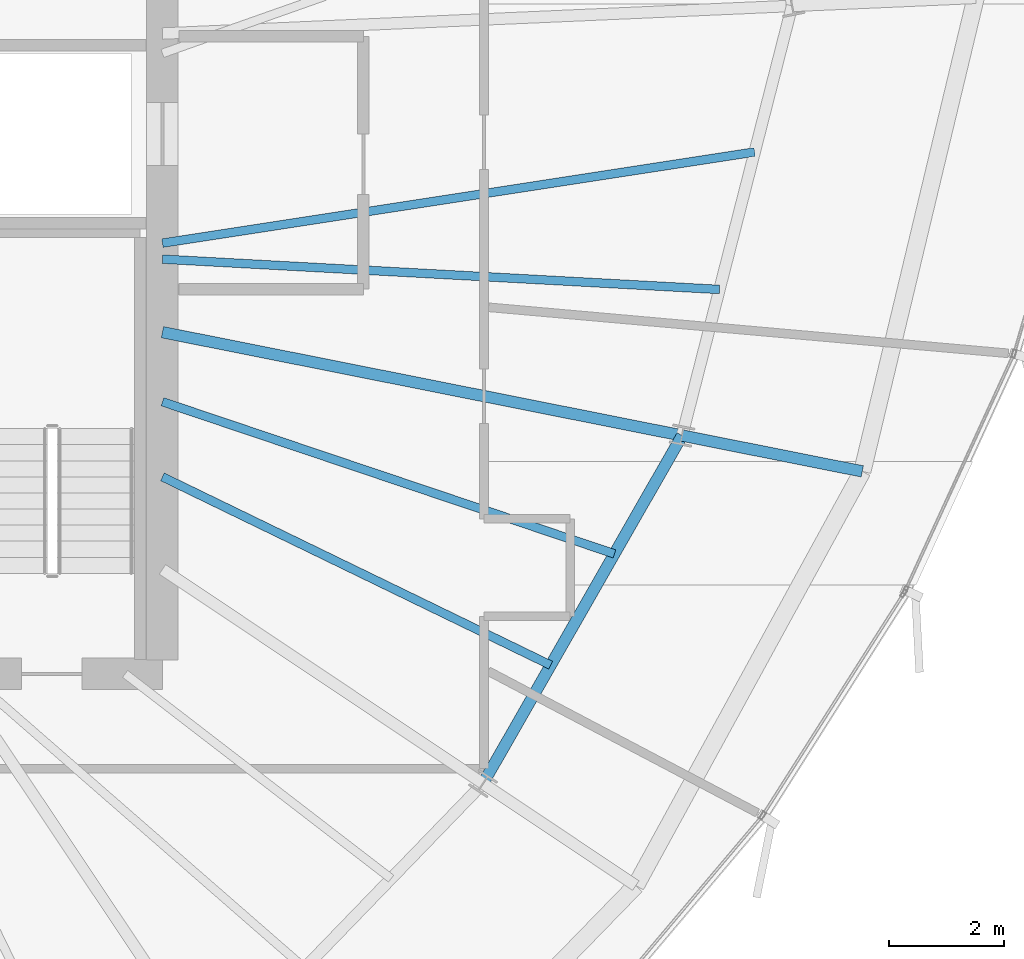
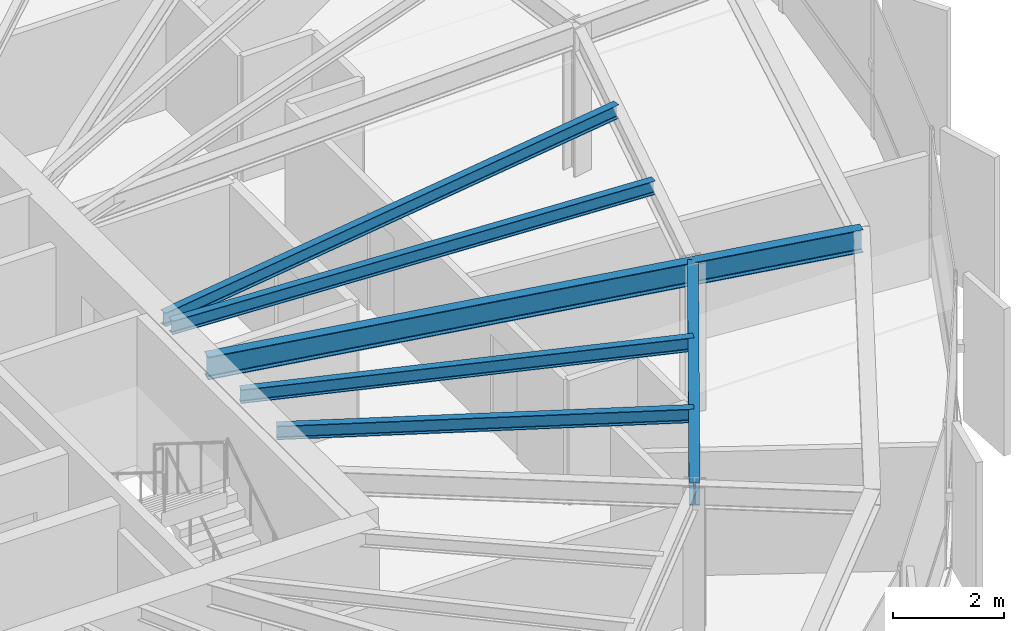
# One storey, part 16 of 34: 7 beams.
"""IFC4 building model written with IfcOpenShell, lengths in metres."""

from ifc_helpers import new_model, si_unit, direction, frame, origin, origin_2d, place, context, subcontext, project, spatial, i_section, extrude, source, transform, mapped, material, material_profile, profile_set, type_object, element, save


model = new_model("IFC4")

# Units and contexts
model_context = context("Model", 3, precision=1e-05, world=origin(), true_north=direction((0.0, 1.0)))
body_context = subcontext(model_context, "Body", "Model", "MODEL_VIEW")
ifc_project = project(units=[si_unit("LENGTHUNIT", "METRE"), si_unit("AREAUNIT", "SQUARE_METRE"), si_unit("VOLUMEUNIT", "CUBIC_METRE"), si_unit("PLANEANGLEUNIT", "RADIAN"), si_unit("MASSUNIT", "GRAM", prefix="KILO"), si_unit("THERMODYNAMICTEMPERATUREUNIT", "KELVIN")], contexts=[model_context])

# Site, building, storey
site_placement = place(None, origin())
site = spatial("IfcSite", under=ifc_project, at=site_placement, CompositionType="ELEMENT")
building_placement = place(site_placement, origin())
building = spatial("IfcBuilding", under=site, at=building_placement, Name="Kethvar Cultural Tower", CompositionType="ELEMENT")
storey_placement = place(building_placement, frame((0.0, 0.0, 186.89990234375)))
storey = spatial("IfcBuildingStorey", under=building, at=storey_placement, Name="L48", CompositionType="ELEMENT", Elevation=186.89990234375)

# Beams
ifc_material = material(Name="Steel S355J2", Category="steel")
ifc_material_profile_1 = material_profile(ifc_material, i_section(OverallWidth=0.199951171875, OverallDepth=0.5, WebThickness=0.01025390625, FlangeThickness=0.01611328125, FilletRadius=0.02099609375, at=origin_2d()), Name="Steel S355J2 — IPE500")
ifc_profile_set_1 = profile_set([ifc_material_profile_1], Name="Steel S355J2 — IPE500")
beam_type_1 = type_object("IfcBeamType", Name="BM-IPE500", PredefinedType="BEAM", material=ifc_profile_set_1)
shared_shape_1 = source(origin(), body_context, "Body", "SweptSolid", [
    extrude(i_section(OverallWidth=0.199951171875, OverallDepth=0.5, WebThickness=0.01025390625, FlangeThickness=0.01611328125, FilletRadius=0.02099609375, at=origin_2d()), origin(), (0.0, 0.0, 1.0), 3.199951171875),
])
beam_1_placement = place(storey_placement, frame((64.648681640625, 24.249755859375, 3.008056640625), z_axis=(0.980785550224, -0.195088965533, 0.0), x_axis=(0.195088965533, 0.980785550224, 0.0)))
element("IfcBeam", 1, at=beam_1_placement, inside=storey, type_object=beam_type_1, Name="L48 Perimeter Cantilever Beam RC-16", PredefinedType="BEAM", context=body_context, shape_type="MappedRepresentation", body=[
    mapped(shared_shape_1, transform((0.0, 0.0, 0.0), scale=1.0)),
])
shared_shape_2 = source(origin(), body_context, "Body", "SweptSolid", [
    extrude(i_section(OverallWidth=0.199951171875, OverallDepth=0.5, WebThickness=0.01025390625, FlangeThickness=0.01611328125, FilletRadius=0.02099609375, at=origin_2d()), origin(), (0.0, 0.0, 1.0), 9.225830078125),
])
beam_2_placement = place(storey_placement, frame((55.60009765625, 26.049560546875, 3.008056640625), z_axis=(0.980786744069, -0.195082963529, 0.0), x_axis=(0.195082963529, 0.980786744069, 0.0)))
element("IfcBeam", 2, at=beam_2_placement, inside=storey, type_object=beam_type_1, Name="L48 Primary Radial Beam RB-16", PredefinedType="BEAM", context=body_context, shape_type="MappedRepresentation", body=[
    mapped(shared_shape_2, transform((0.0, 0.0, 0.0), scale=1.0)),
])
shared_shape_3 = source(origin(), body_context, "Body", "SweptSolid", [
    extrude(i_section(OverallWidth=0.199951171875, OverallDepth=0.5, WebThickness=0.01025390625, FlangeThickness=0.01611328125, FilletRadius=0.02099609375, at=origin_2d()), origin(), (0.0, 0.0, 1.0), 6.98095703125),
])
beam_3_placement = place(storey_placement, frame((61.1826171875, 18.18994140625, 3.008056640625), z_axis=(0.496496686118, 0.868038617041, 0.0), x_axis=(-0.868038617041, 0.496496686118, 0.0)))
element("IfcBeam", 3, at=beam_3_placement, inside=storey, type_object=beam_type_1, Name="L48 Column Ring Tie Beam CR-15", PredefinedType="BEAM", context=body_context, shape_type="MappedRepresentation", body=[
    mapped(shared_shape_3, transform((0.0, 0.0, 0.0), scale=1.0)),
])
ifc_material_profile_2 = material_profile(ifc_material, i_section(OverallWidth=0.14990234375, OverallDepth=0.300048828125, WebThickness=0.007080078125, FlangeThickness=0.0107421875, FilletRadius=0.014892578125, at=origin_2d()), Name="Steel S355J2 — IPE300")
ifc_profile_set_2 = profile_set([ifc_material_profile_2], Name="Steel S355J2 — IPE300")
beam_type_2 = type_object("IfcBeamType", Name="BM-J300", PredefinedType="JOIST", material=ifc_profile_set_2)
shared_shape_4 = source(origin(), body_context, "Body", "SweptSolid", [
    extrude(i_section(OverallWidth=0.14990234375, OverallDepth=0.300048828125, WebThickness=0.007080078125, FlangeThickness=0.0107421875, FilletRadius=0.014892578125, at=origin_2d()), origin(), (0.0, 0.0, 1.0), 7.5146484375),
])
beam_4_placement = place(storey_placement, frame((55.60009765625, 23.530517578125, 3.108154296875), z_axis=(0.899698132091, -0.436512624229, 0.0), x_axis=(0.436512624229, 0.899698132091, 0.0)))
element("IfcBeam", 4, at=beam_4_placement, inside=storey, type_object=beam_type_2, Name="L48 Composite Floor Joist J-15A", PredefinedType="JOIST", context=body_context, shape_type="MappedRepresentation", body=[
    mapped(shared_shape_4, transform((0.0, 0.0, 0.0), scale=1.0)),
])
shared_shape_5 = source(origin(), body_context, "Body", "SweptSolid", [
    extrude(i_section(OverallWidth=0.14990234375, OverallDepth=0.300048828125, WebThickness=0.007080078125, FlangeThickness=0.0107421875, FilletRadius=0.014892578125, at=origin_2d()), origin(), (0.0, 0.0, 1.0), 8.303955078125),
])
beam_5_placement = place(storey_placement, frame((55.60009765625, 24.838134765625, 3.108154296875), z_axis=(0.94776496661, -0.318969540971, 0.0), x_axis=(0.318969540971, 0.94776496661, 0.0)))
element("IfcBeam", 5, at=beam_5_placement, inside=storey, type_object=beam_type_2, Name="L48 Composite Floor Joist J-15B", PredefinedType="JOIST", context=body_context, shape_type="MappedRepresentation", body=[
    mapped(shared_shape_5, transform((0.0, 0.0, 0.0), scale=1.0)),
])
shared_shape_6 = source(origin(), body_context, "Body", "SweptSolid", [
    extrude(i_section(OverallWidth=0.14990234375, OverallDepth=0.300048828125, WebThickness=0.007080078125, FlangeThickness=0.0107421875, FilletRadius=0.014892578125, at=origin_2d()), origin(), (0.0, 0.0, 1.0), 9.714111328125),
])
beam_6_placement = place(storey_placement, frame((55.60009765625, 27.3212890625, 3.108154296875), z_axis=(0.998522658081, -0.054336923906, 0.0), x_axis=(0.054336923906, 0.998522658081, 0.0)))
element("IfcBeam", 6, at=beam_6_placement, inside=storey, type_object=beam_type_2, Name="L48 Composite Floor Joist J-16A", PredefinedType="JOIST", context=body_context, shape_type="MappedRepresentation", body=[
    mapped(shared_shape_6, transform((0.0, 0.0, 0.0), scale=1.0)),
])
shared_shape_7 = source(origin(), body_context, "Body", "SweptSolid", [
    extrude(i_section(OverallWidth=0.14990234375, OverallDepth=0.300048828125, WebThickness=0.007080078125, FlangeThickness=0.0107421875, FilletRadius=0.014892578125, at=origin_2d()), origin(), (0.0, 0.0, 1.0), 10.43408203125),
])
beam_7_placement = place(storey_placement, frame((55.60009765625, 27.60009765625, 3.108154296875), z_axis=(0.988359792691, 0.152134546343, 0.0), x_axis=(-0.152134546343, 0.988359792691, 0.0)))
element("IfcBeam", 7, at=beam_7_placement, inside=storey, type_object=beam_type_2, Name="L48 Composite Floor Joist J-16B", PredefinedType="JOIST", context=body_context, shape_type="MappedRepresentation", body=[
    mapped(shared_shape_7, transform((0.0, 0.0, 0.0), scale=1.0)),
])

save(model, "model.ifc")
